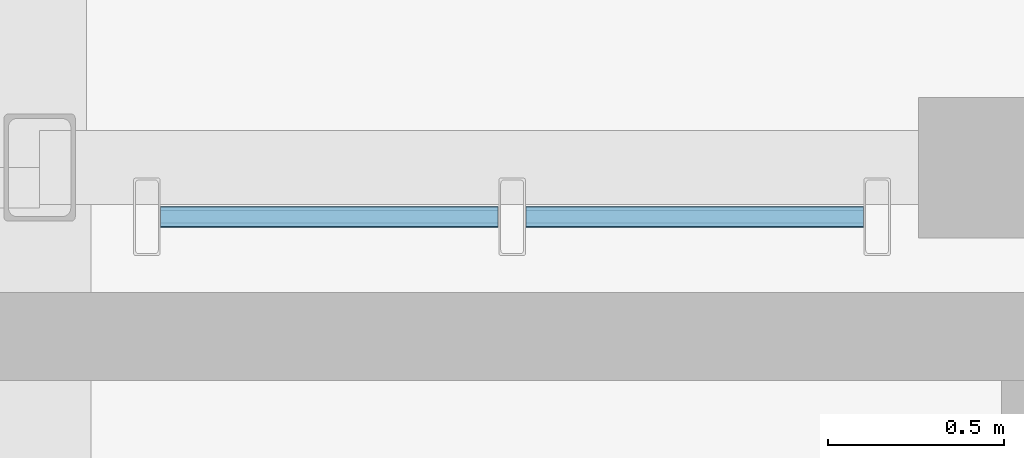
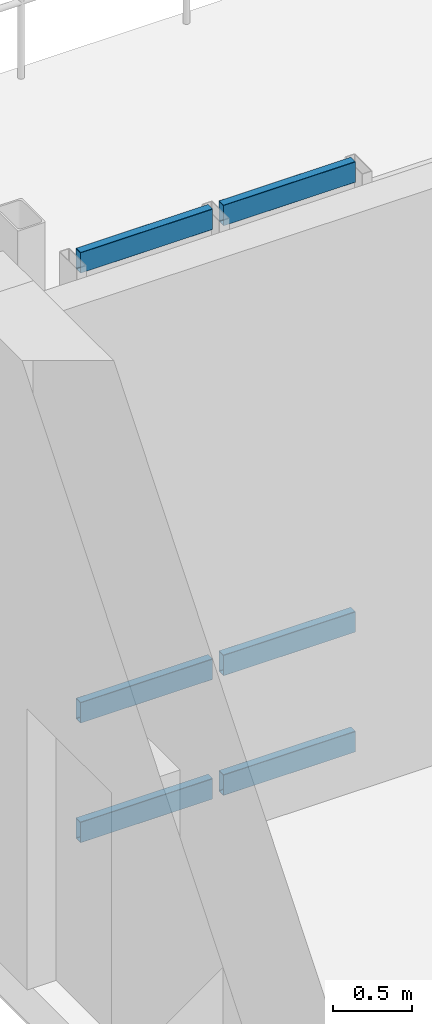
# One storey, part 57 of 81: 6 members, 1 element without a shape of its own.
"""IFC4 building model written with IfcOpenShell, lengths in metres."""

from ifc_helpers import new_model, si_unit, direction, frame, origin_with_axes, origin_2d_with_axis, place, context, subcontext, project, spatial, hollow_rectangle, extrude, material, material_profile, profile_set, type_object, element, aggregate, save


model = new_model("IFC4")

# Units and contexts
model_context = context("Model", 3, precision=1e-05, world=origin_with_axes(), true_north=direction((0.0, 1.0)))
body_context = subcontext(model_context, "Body", "Model", "MODEL_VIEW")
ifc_project = project(units=[si_unit("LENGTHUNIT", "METRE"), si_unit("AREAUNIT", "SQUARE_METRE"), si_unit("VOLUMEUNIT", "CUBIC_METRE"), si_unit("PLANEANGLEUNIT", "RADIAN"), si_unit("MASSUNIT", "GRAM", prefix="KILO"), si_unit("THERMODYNAMICTEMPERATUREUNIT", "KELVIN")], contexts=[model_context])

# Site, building, storey
site_placement = place(None, origin_with_axes())
site = spatial("IfcSite", under=ifc_project, at=site_placement, CompositionType="ELEMENT")
building_placement = place(site_placement, origin_with_axes())
building = spatial("IfcBuilding", under=site, at=building_placement, Name="Montbau Bow Law Courts", CompositionType="ELEMENT")
storey_placement = place(building_placement, frame((0.0, 0.0, 24.9), z_axis=(0.0, 0.0, 1.0), x_axis=(1.0, 0.0, 0.0)))
storey = spatial("IfcBuildingStorey", under=building, at=storey_placement, Name="L05", CompositionType="ELEMENT", Elevation=24.9)

# Curtain wall, members
ifc_material = material(Name="Thermally Broken Extruded Aluminium AA 6063-T6", Category="aluminium")
curtain_wall_type = type_object("IfcCurtainWallType", Name="CW-NCK-02", PredefinedType="NOTDEFINED", material=ifc_material)
curtain_wall_placement = place(None, frame((63.868, 54.46, 24.9), z_axis=(0.0, 0.0, 1.0), x_axis=(1.0, 0.0, 0.0)))
curtain_wall = element("IfcCurtainWall", 1, at=curtain_wall_placement, inside=storey, type_object=curtain_wall_type, Name="CW-L05-216:cw_0216", PredefinedType="NOTDEFINED")
ifc_material_profile = material_profile(ifc_material, hollow_rectangle(XDim=0.06, YDim=0.16, WallThickness=0.004, InnerFilletRadius=0.008, OuterFilletRadius=0.004, at=origin_2d_with_axis()), Name="CWT-160X60", Category="Main", Priority=0)
ifc_profile_set = profile_set([ifc_material_profile], Name="Thermally Broken Extruded Aluminium AA 6063-T6")
member_type = type_object("IfcMemberType", Name="M-TRN-01", PredefinedType="USERDEFINED", material=ifc_profile_set)
member_1_placement = place(None, frame((63.944, 54.46, 24.93), z_axis=(1.0, 0.0, 0.0), x_axis=(0.0, 1.0, 0.0)))
member_1 = element("IfcMember", 2, at=member_1_placement, type_object=member_type, Name="CW-L05-216-T01-1:cw_0216_T01_1", ObjectType="TRANSOM", PredefinedType="USERDEFINED", context=body_context, shape_type="SweptSolid", body=[
    extrude(hollow_rectangle(XDim=0.06, YDim=0.16, WallThickness=0.004, InnerFilletRadius=0.008, OuterFilletRadius=0.004, at=origin_2d_with_axis()), origin_with_axes(), (0.0, 0.0, 1.0), 0.96),
])
member_2_placement = place(None, frame((63.944, 54.46, 25.85), z_axis=(1.0, 0.0, 0.0), x_axis=(0.0, 1.0, 0.0)))
member_2 = element("IfcMember", 3, at=member_2_placement, type_object=member_type, Name="CW-L05-216-T01-2:cw_0216_T01_2", ObjectType="TRANSOM", PredefinedType="USERDEFINED", context=body_context, shape_type="SweptSolid", body=[
    extrude(hollow_rectangle(XDim=0.06, YDim=0.16, WallThickness=0.004, InnerFilletRadius=0.008, OuterFilletRadius=0.004, at=origin_2d_with_axis()), origin_with_axes(), (0.0, 0.0, 1.0), 0.96),
])
member_3_placement = place(None, frame((63.944, 54.46, 29.31), z_axis=(1.0, 0.0, 0.0), x_axis=(0.0, 1.0, 0.0)))
member_3 = element("IfcMember", 4, at=member_3_placement, type_object=member_type, Name="CW-L05-216-T01-3:cw_0216_T01_3", ObjectType="TRANSOM", PredefinedType="USERDEFINED", context=body_context, shape_type="SweptSolid", body=[
    extrude(hollow_rectangle(XDim=0.06, YDim=0.16, WallThickness=0.004, InnerFilletRadius=0.008, OuterFilletRadius=0.004, at=origin_2d_with_axis()), origin_with_axes(), (0.0, 0.0, 1.0), 0.96),
])
member_4_placement = place(None, frame((64.984, 54.46, 24.93), z_axis=(1.0, 0.0, 0.0), x_axis=(0.0, 1.0, 0.0)))
member_4 = element("IfcMember", 5, at=member_4_placement, type_object=member_type, Name="CW-L05-216-T02-1:cw_0216_T02_1", ObjectType="TRANSOM", PredefinedType="USERDEFINED", context=body_context, shape_type="SweptSolid", body=[
    extrude(hollow_rectangle(XDim=0.06, YDim=0.16, WallThickness=0.004, InnerFilletRadius=0.008, OuterFilletRadius=0.004, at=origin_2d_with_axis()), origin_with_axes(), (0.0, 0.0, 1.0), 0.959),
])
member_5_placement = place(None, frame((64.984, 54.46, 25.85), z_axis=(1.0, 0.0, 0.0), x_axis=(0.0, 1.0, 0.0)))
member_5 = element("IfcMember", 6, at=member_5_placement, type_object=member_type, Name="CW-L05-216-T02-2:cw_0216_T02_2", ObjectType="TRANSOM", PredefinedType="USERDEFINED", context=body_context, shape_type="SweptSolid", body=[
    extrude(hollow_rectangle(XDim=0.06, YDim=0.16, WallThickness=0.004, InnerFilletRadius=0.008, OuterFilletRadius=0.004, at=origin_2d_with_axis()), origin_with_axes(), (0.0, 0.0, 1.0), 0.959),
])
member_6_placement = place(None, frame((64.984, 54.46, 29.31), z_axis=(1.0, 0.0, 0.0), x_axis=(0.0, 1.0, 0.0)))
member_6 = element("IfcMember", 7, at=member_6_placement, type_object=member_type, Name="CW-L05-216-T02-3:cw_0216_T02_3", ObjectType="TRANSOM", PredefinedType="USERDEFINED", context=body_context, shape_type="SweptSolid", body=[
    extrude(hollow_rectangle(XDim=0.06, YDim=0.16, WallThickness=0.004, InnerFilletRadius=0.008, OuterFilletRadius=0.004, at=origin_2d_with_axis()), origin_with_axes(), (0.0, 0.0, 1.0), 0.959),
])
aggregate(curtain_wall, [member_1, member_2, member_3, member_4, member_5, member_6])

save(model, "model.ifc")
